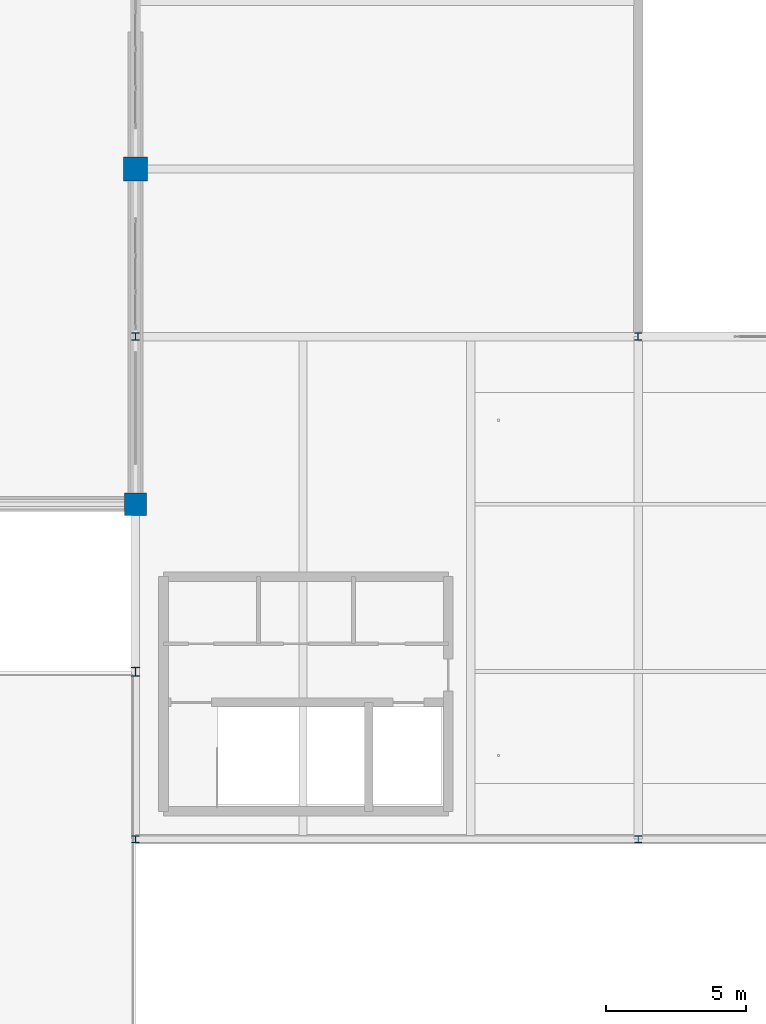
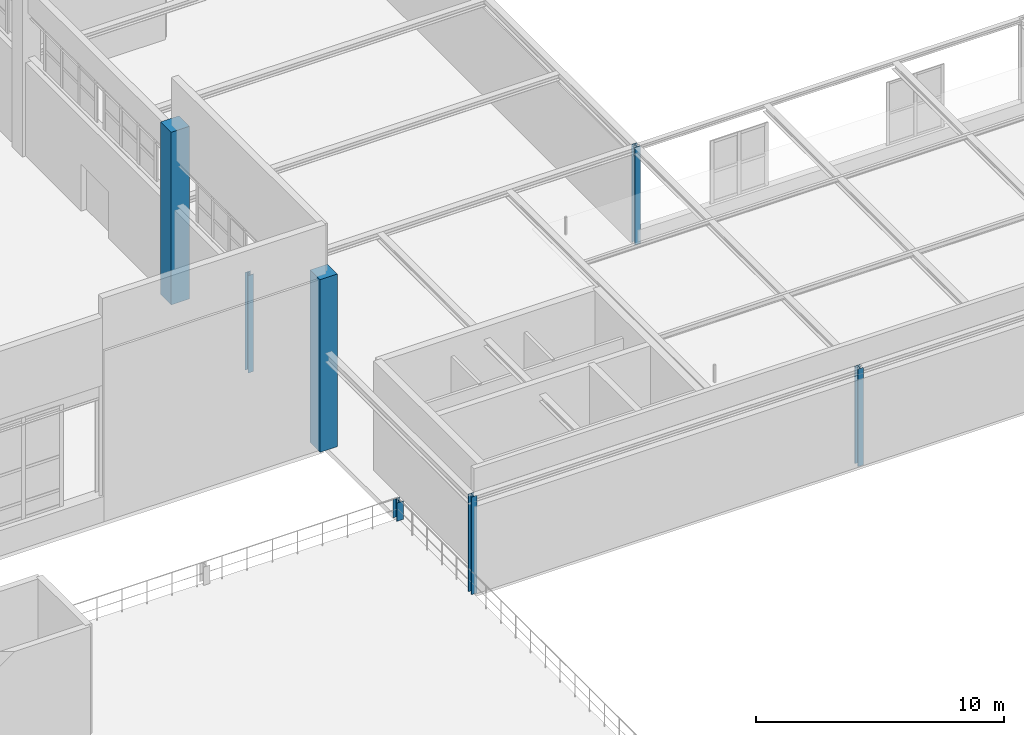
# One storey, part 6 of 97: 7 columns.
"""IFC4 building model written with IfcOpenShell, lengths in metres."""

from ifc_helpers import new_model, si_unit, derived_unit, direction, frame, origin, origin_2d, place, context, subcontext, project, spatial, rectangle, i_section, extrude, material, material_profile, profile_set, type_object, element, save


model = new_model("IFC4")

# Units and contexts
model_context = context("Model", 3, precision=1e-05, world=origin(), true_north=direction((0.0, 1.0)))
body_context = subcontext(model_context, "Body", "Model", "MODEL_VIEW")
ifc_project = project(units=[si_unit("LENGTHUNIT", "METRE"), si_unit("AREAUNIT", "SQUARE_METRE"), si_unit("VOLUMEUNIT", "CUBIC_METRE"), si_unit("PLANEANGLEUNIT", "RADIAN"), si_unit("MASSUNIT", "GRAM", prefix="KILO"), derived_unit("THERMALTRANSMITTANCEUNIT", [(si_unit("POWERUNIT", "WATT"), 1), (si_unit("LENGTHUNIT", "METRE"), -2), (si_unit("THERMODYNAMICTEMPERATUREUNIT", "KELVIN"), -1)])], contexts=[model_context])

# Site, building, storey
site_placement = place(None, origin())
site = spatial("IfcSite", under=ifc_project, at=site_placement, CompositionType="ELEMENT")
building_placement = place(site_placement, origin())
building = spatial("IfcBuilding", under=site, at=building_placement, Name="Almenara Railside Exhibition Hall", CompositionType="ELEMENT")
storey_placement = place(building_placement, frame((0.0, 0.0, 10.800048828125)))
storey = spatial("IfcBuildingStorey", under=building, at=storey_placement, Name="L02", CompositionType="ELEMENT", Elevation=10.800048828125)

# Columns
ifc_material_1 = material(Name="Concrete C40/50", Category="concrete")
ifc_material_profile_1 = material_profile(ifc_material_1, rectangle(XDim=0.800048828125, YDim=0.800048828125, at=origin_2d()), Name="RC 800x800")
ifc_profile_set_1 = profile_set([ifc_material_profile_1], Name="Concrete C40/50")
column_type_1 = type_object("IfcColumnType", Name="RC Column 800x800 C40/50", PredefinedType="COLUMN", material=ifc_profile_set_1)
column_1_placement = place(storey_placement, frame((66.0, 48.0, 0.0), z_axis=(0.0, 0.0, 1.0), x_axis=(1.0, 0.0, 0.0)))
element("IfcColumn", 1, at=column_1_placement, inside=storey, type_object=column_type_1, Name="Column 0006", PredefinedType="COLUMN", context=body_context, shape_type="SweptSolid", body=[
    extrude(rectangle(XDim=0.800048828125, YDim=0.800048828125, at=origin_2d()), origin(), (0.0, 0.0, 1.0), 8.5),
])
ifc_material_profile_2 = material_profile(ifc_material_1, rectangle(XDim=0.85009765625, YDim=0.85009765625, at=origin_2d()), Name="RC 850x850")
ifc_profile_set_2 = profile_set([ifc_material_profile_2], Name="Concrete C40/50")
column_type_2 = type_object("IfcColumnType", Name="RC Column 850x850 C40/50", PredefinedType="COLUMN", material=ifc_profile_set_2)
column_2_placement = place(storey_placement, frame((66.0, 60.0, 0.0), z_axis=(0.0, 0.0, 1.0), x_axis=(1.0, 0.0, 0.0)))
element("IfcColumn", 2, at=column_2_placement, inside=storey, type_object=column_type_2, Name="Column 0018", PredefinedType="COLUMN", context=body_context, shape_type="SweptSolid", body=[
    extrude(rectangle(XDim=0.85009765625, YDim=0.85009765625, at=origin_2d()), origin(), (0.0, 0.0, 1.0), 8.5),
])
ifc_material_2 = material(Name="Structural steel S355JR", Category="steel")
ifc_material_profile_3 = material_profile(ifc_material_2, i_section(OverallWidth=0.2587890625, OverallDepth=0.2666015625, WebThickness=0.0126953125, FlangeThickness=0.0205078125, FilletRadius=0.0126953125, at=origin_2d()), Name="UC 254x254x107")
ifc_profile_set_3 = profile_set([ifc_material_profile_3], Name="Structural steel S355JR")
column_type_3 = type_object("IfcColumnType", Name="Steel Column UC 254x254x107 S355JR", PredefinedType="COLUMN", material=ifc_profile_set_3)
column_3_placement = place(storey_placement, frame((84.0, 54.0, 0.0), z_axis=(0.0, 0.0, 1.0), x_axis=(1.0, 0.0, 0.0)))
element("IfcColumn", 3, at=column_3_placement, inside=storey, type_object=column_type_3, Name="Column 0207", PredefinedType="COLUMN", context=body_context, shape_type="SweptSolid", body=[
    extrude(i_section(OverallWidth=0.2587890625, OverallDepth=0.2666015625, WebThickness=0.0126953125, FlangeThickness=0.0205078125, FilletRadius=0.0126953125, at=origin_2d()), origin(), (0.0, 0.0, 1.0), 4.800048828125),
])
ifc_material_profile_4 = material_profile(ifc_material_2, i_section(OverallWidth=0.25634765625, OverallDepth=0.26025390625, WebThickness=0.01025390625, FlangeThickness=0.017333984375, FilletRadius=0.0126953125, at=origin_2d()), Name="UC 254x254x89")
ifc_profile_set_4 = profile_set([ifc_material_profile_4], Name="Structural steel S355JR")
column_type_4 = type_object("IfcColumnType", Name="Steel Column UC 254x254x89 S355JR", PredefinedType="COLUMN", material=ifc_profile_set_4)
for number, where, z_axis, x_axis, name in (
    (4, (66.0, 36.0, 0.0), (0.0, 0.0, 1.0), (1.0, 0.0, 0.0), "Column 0195"),
    (5, (66.0, 54.0, 0.0), (0.0, 0.0, 1.0), (1.0, 0.0, 0.0), "Column 0198"),
    (6, (84.0, 36.0, 0.0), (0.0, 0.0, 1.0), (1.0, 0.0, 0.0), "Column 0204"),
):
    element("IfcColumn", number, at=place(storey_placement, frame(where, z_axis=z_axis, x_axis=x_axis)), inside=storey, type_object=column_type_4, Name=name, PredefinedType="COLUMN", context=body_context, shape_type="SweptSolid", body=[
        extrude(i_section(OverallWidth=0.25634765625, OverallDepth=0.26025390625, WebThickness=0.01025390625, FlangeThickness=0.017333984375, FilletRadius=0.0126953125, at=origin_2d()), origin(), (0.0, 0.0, 1.0), 4.800048828125),
    ])
ifc_material_profile_5 = material_profile(ifc_material_2, i_section(OverallWidth=0.307373046875, OverallDepth=0.314453125, WebThickness=0.011962890625, FlangeThickness=0.018798828125, FilletRadius=0.01513671875, at=origin_2d()), Name="UC 305x305x118")
ifc_profile_set_5 = profile_set([ifc_material_profile_5], Name="Structural steel S355JR")
column_type_5 = type_object("IfcColumnType", Name="Steel Column UC 305x305x118 S355JR", PredefinedType="COLUMN", material=ifc_profile_set_5)
column_4_placement = place(storey_placement, frame((66.0, 42.0, 0.0), z_axis=(0.0, 0.0, 1.0), x_axis=(1.0, 0.0, 0.0)))
element("IfcColumn", 7, at=column_4_placement, inside=storey, type_object=column_type_5, Name="Column 0190", PredefinedType="COLUMN", context=body_context, shape_type="SweptSolid", body=[
    extrude(i_section(OverallWidth=0.307373046875, OverallDepth=0.314453125, WebThickness=0.011962890625, FlangeThickness=0.018798828125, FilletRadius=0.01513671875, at=origin_2d()), origin(), (0.0, 0.0, 1.0), 0.89990234375),
])

save(model, "model.ifc")
